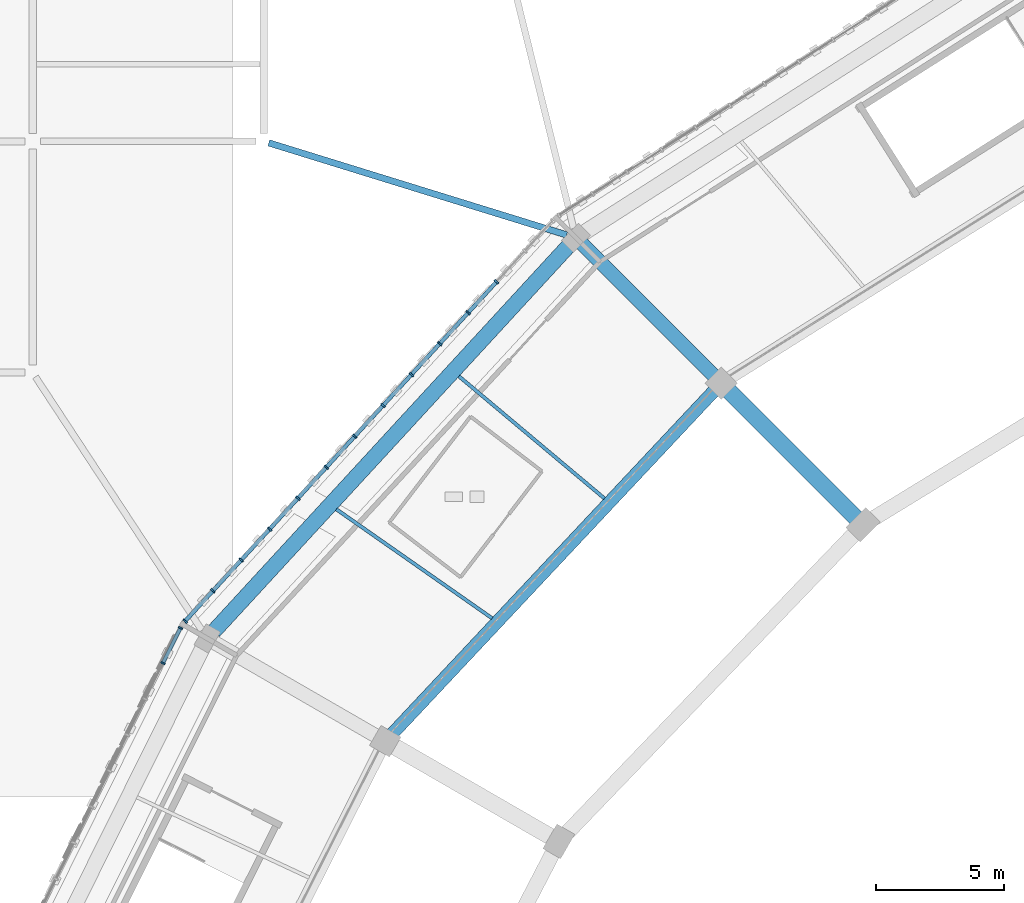
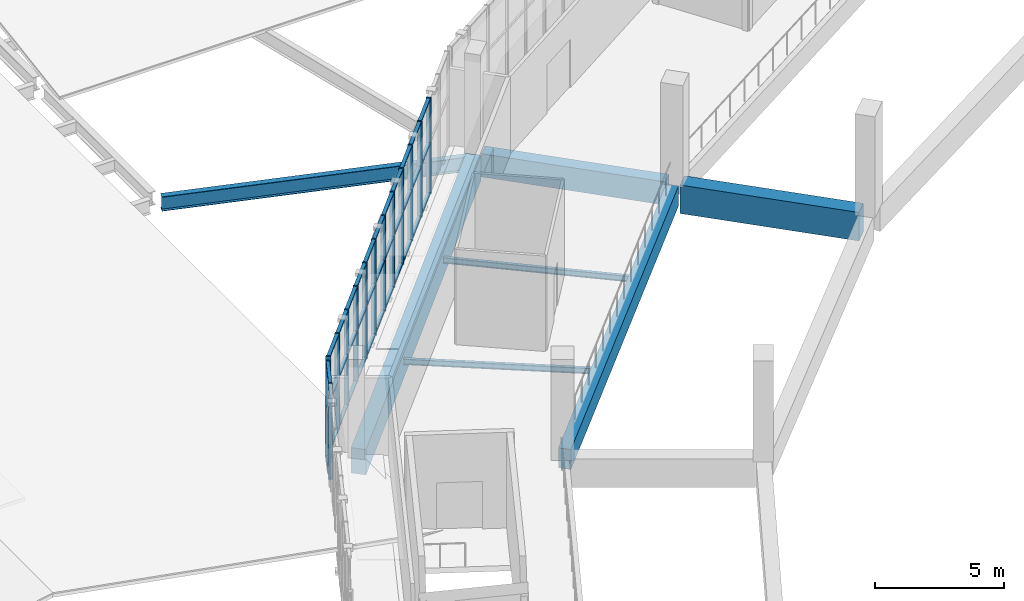
# One storey, part 33 of 108: 50 members, 7 beams, 2 elements without a shape of their own.
"""IFC4 building model written with IfcOpenShell, lengths in metres."""

import ifcopenshell
import ifcopenshell.guid

model = None  # the IFC model being written
_history = None  # IfcOwnerHistory: only IFC2X3 demands one
_inside = {}  # id of a spatial element -> (the spatial element, [elements in it])
_under = {}  # id of a project, library or spatial element -> (it, [spatial elements below it])
_declared = {}  # id of a project -> (the project, [libraries it declares])
_typed = {}  # id of a type object -> (the type object, [elements of that type])
_made_of = {}  # id of a material, layer set ... -> (it, [elements and type objects made of it])


def new_model(schema):
    """Start an empty IFC model of exactly this schema.

    Asked for "IFC4X3", IfcOpenShell would pick the latest addendum, in which some entities
    have other attributes; the version numbers below select the first issue.
    IFC2X3 requires an IfcOwnerHistory on every rooted entity: one is made here for all.
    """
    global model, _history
    if schema == "IFC4X3":
        model = ifcopenshell.file(schema_version=(4, 3, 0, 0))
    else:
        model = ifcopenshell.file(schema=schema)
    _inside.clear()
    _under.clear()
    _declared.clear()
    _typed.clear()
    _made_of.clear()
    _history = None
    if model.schema == "IFC2X3":
        org = make("IfcOrganization", Name="unknown")
        user = make(
            "IfcPersonAndOrganization",
            ThePerson=make("IfcPerson", FamilyName="unknown"),
            TheOrganization=org,
        )
        app = make(
            "IfcApplication",
            ApplicationDeveloper=org,
            Version="unknown",
            ApplicationFullName="unknown",
            ApplicationIdentifier="unknown",
        )
        _history = make(
            "IfcOwnerHistory",
            OwningUser=user,
            OwningApplication=app,
            ChangeAction="ADDED",
            CreationDate=0,
        )
    return model


def make(cls, **values):
    """One entity of the class cls with the attributes given. An attribute that is None is left unset."""
    return model.create_entity(
        cls, **{name: value for name, value in values.items() if value is not None}
    )


def rooted(cls, **values):
    """An entity with a GlobalId (a new one), such as an element, a storey or a relation."""
    return make(cls, GlobalId=ifcopenshell.guid.new(), OwnerHistory=_history, **values)


def si_unit(unit_type, name, prefix=None):
    """IfcSIUnit, for example si_unit("LENGTHUNIT", "METRE", prefix="MILLI")."""
    return make("IfcSIUnit", UnitType=unit_type, Prefix=prefix, Name=name)


def assignment(units):
    """IfcUnitAssignment: the units of a project."""
    return None if units is None else make("IfcUnitAssignment", Units=units)


def point(xyz):
    """IfcCartesianPoint."""
    return None if xyz is None else make("IfcCartesianPoint", Coordinates=xyz)


def direction(xyz):
    """IfcDirection."""
    return None if xyz is None else make("IfcDirection", DirectionRatios=xyz)


def frame(location, z_axis=None, x_axis=None):
    """IfcAxis2Placement3D, a coordinate frame: its origin and axes. An axis left out is left unset."""
    return make(
        "IfcAxis2Placement3D",
        Location=point(location),
        Axis=direction(z_axis),
        RefDirection=direction(x_axis),
    )


def frame_2d(location, x_axis=None):
    """IfcAxis2Placement2D, a coordinate frame in the plane: its origin and x axis."""
    return make(
        "IfcAxis2Placement2D", Location=point(location), RefDirection=direction(x_axis)
    )


def origin():
    """The frame at (0, 0, 0) with its axes left unset."""
    return frame((0.0, 0.0, 0.0))


def origin_2d():
    """The frame at (0, 0) in the plane with its x axis left unset."""
    return frame_2d((0.0, 0.0))


def place(relative_to, where):
    """IfcLocalPlacement: puts the frame where relative to a parent placement (None: the world)."""
    return make(
        "IfcLocalPlacement", PlacementRelTo=relative_to, RelativePlacement=where
    )


def context(
    kind, dimensions, precision=None, world=None, true_north=None, identifier=None
):
    """IfcGeometricRepresentationContext, for example the 3D "Model" context."""
    return make(
        "IfcGeometricRepresentationContext",
        ContextIdentifier=identifier,
        ContextType=kind,
        CoordinateSpaceDimension=dimensions,
        Precision=precision,
        WorldCoordinateSystem=world,
        TrueNorth=true_north,
    )


def subcontext(parent, identifier, kind, view, scale=None):
    """IfcGeometricRepresentationSubContext, for example "Body" below "Model"."""
    return make(
        "IfcGeometricRepresentationSubContext",
        ContextIdentifier=identifier,
        ContextType=kind,
        ParentContext=parent,
        TargetScale=scale,
        TargetView=view,
    )


def project(units=None, contexts=None):
    """IfcProject with its units and contexts."""
    return rooted(
        "IfcProject",
        Name="project",
        RepresentationContexts=contexts,
        UnitsInContext=assignment(units),
    )


def spatial(cls, under=None, at=None, **own):
    """A site, building, storey or space (cls), placed at a placement, below another one or the project."""
    s = rooted(cls, ObjectPlacement=at, **own)
    if under is not None:
        _under.setdefault(under.id(), (under, []))[1].append(s)
    return s


def profile(cls, at=None, kind="AREA", **sizes):
    """A parametric profile (cls). Its sizes go by their IFC names, for example OverallWidth=200.0."""
    return make(cls, ProfileType=kind, Position=at, **sizes)


def rectangle(**sizes):
    """IfcRectangleProfileDef."""
    return profile("IfcRectangleProfileDef", **sizes)


def i_section(**sizes):
    """IfcIShapeProfileDef."""
    return profile("IfcIShapeProfileDef", **sizes)


def extrude(swept, where, along, depth):
    """IfcExtrudedAreaSolid: the profile swept, set in the frame where, extruded along a direction by depth."""
    return make(
        "IfcExtrudedAreaSolid",
        SweptArea=swept,
        Position=where,
        ExtrudedDirection=direction(along),
        Depth=depth,
    )


def shape(context_of_items, identifier, shape_type, items):
    """IfcShapeRepresentation: the items that make up one representation, for example the "Body"."""
    return make(
        "IfcShapeRepresentation",
        ContextOfItems=context_of_items,
        RepresentationIdentifier=identifier,
        RepresentationType=shape_type,
        Items=items,
    )


def material(Name=None, Category=None):
    """IfcMaterial."""
    return make("IfcMaterial", Name=Name, Category=Category)


def material_profile(
    of_material, cross_section, Name=None, Category=None, Priority=None
):
    """IfcMaterialProfile: a cross section and its material."""
    return make(
        "IfcMaterialProfile",
        Name=Name,
        Material=of_material,
        Profile=cross_section,
        Priority=Priority,
        Category=Category,
    )


def profile_set(profiles, Name=None, composite=None):
    """IfcMaterialProfileSet."""
    return make(
        "IfcMaterialProfileSet",
        Name=Name,
        MaterialProfiles=profiles,
        CompositeProfile=composite,
    )


def made_of(thing, what):
    """Note that an element or type object is made of a material, layer set ...; save() writes the relation."""
    if what is not None:
        _made_of.setdefault(what.id(), (what, []))[1].append(thing)
    return thing


def type_object(cls, material=None, **own):
    """A type object (cls), such as IfcWallType, which elements share."""
    return made_of(rooted(cls, **own), material)


def element(
    cls,
    number,
    at=None,
    inside=None,
    cuts=None,
    type_object=None,
    material=None,
    context=None,
    identifier="Body",
    shape_type=None,
    held_by="IfcProductDefinitionShape",
    body=None,
    shapes=None,
    **own,
):
    """One element of the class cls, such as IfcWall. Its Tag is "e" and its number.

    at: its placement. inside: the storey or other place that contains it. cuts: it is an
    opening in that element (IfcRelVoidsElement). A single representation is given by context,
    identifier, shape_type and body (its items); several are given by shapes. held_by: the class
    of the entity that holds the representations. save() writes the other relations.
    """
    e = rooted(cls, Tag="e%d" % number, ObjectPlacement=at, **own)
    if body is not None:
        shapes = [shape(context, identifier, shape_type, body)]
    if shapes is not None:
        e.Representation = make(held_by, Representations=shapes)
    if inside is not None:
        _inside.setdefault(inside.id(), (inside, []))[1].append(e)
    if cuts is not None:
        rooted(
            "IfcRelVoidsElement", RelatingBuildingElement=cuts, RelatedOpeningElement=e
        )
    if type_object is not None:
        _typed.setdefault(type_object.id(), (type_object, []))[1].append(e)
    return made_of(e, material)


def aggregate(whole, parts):
    """IfcRelAggregates: a whole, such as a stair, and the parts it consists of."""
    return rooted("IfcRelAggregates", RelatingObject=whole, RelatedObjects=parts)


def save(model, path):
    """Write the relations noted so far, then the file.

    IfcRelAggregates (storeys below a building ...), IfcRelContainedInSpatialStructure (elements
    in a storey), IfcRelDefinesByType, IfcRelAssociatesMaterial and IfcRelDeclares: one each for
    every whole, place, type object, material and project.
    """
    for whole, parts in _under.values():
        aggregate(whole, parts)
    for where, things in _inside.values():
        rooted(
            "IfcRelContainedInSpatialStructure",
            RelatedElements=things,
            RelatingStructure=where,
        )
    for kind, things in _typed.values():
        rooted("IfcRelDefinesByType", RelatedObjects=things, RelatingType=kind)
    for what, things in _made_of.values():
        rooted("IfcRelAssociatesMaterial", RelatedObjects=things, RelatingMaterial=what)
    for by, libraries in _declared.values():
        rooted("IfcRelDeclares", RelatingContext=by, RelatedDefinitions=libraries)
    model.write(path)


model = new_model("IFC4")

# Units and contexts
model_context = context("Model", 3, precision=1e-05, world=origin(), true_north=direction((0.0, 1.0)))
body_context = subcontext(model_context, "Body", "Model", "MODEL_VIEW")
ifc_project = project(units=[si_unit("LENGTHUNIT", "METRE"), si_unit("AREAUNIT", "SQUARE_METRE"), si_unit("VOLUMEUNIT", "CUBIC_METRE"), si_unit("PLANEANGLEUNIT", "RADIAN"), si_unit("MASSUNIT", "GRAM", prefix="KILO")], contexts=[model_context])

# Site, building, storey
site_placement = place(None, origin())
site = spatial("IfcSite", under=ifc_project, at=site_placement, CompositionType="ELEMENT")
building_placement = place(site_placement, origin())
building = spatial("IfcBuilding", under=site, at=building_placement, Name="Zevraka Park Crest Stadium", CompositionType="ELEMENT")
storey_placement = place(building_placement, frame((0.0, 0.0, 19.800048828125)))
storey = spatial("IfcBuildingStorey", under=building, at=storey_placement, Name="L04", CompositionType="ELEMENT", Elevation=19.800048828125)

# Beams
ifc_material_1 = material(Name="Concrete C40/50", Category="concrete")
ifc_material_profile_1 = material_profile(ifc_material_1, rectangle(XDim=0.64990234375, YDim=1.35009765625, at=origin_2d()), Name="RC 1350x650")
ifc_profile_set_1 = profile_set([ifc_material_profile_1], Name="Concrete C40/50")
beam_type_1 = type_object("IfcBeamType", Name="BG01", PredefinedType="BEAM", material=ifc_profile_set_1)
beam_1_placement = place(storey_placement, frame((59.10888671875, 134.284912109375, -0.68505859375), z_axis=(-0.707157639372, 0.707055919343, 0.0), x_axis=(-0.707055919343, -0.707157639372, 0.0)))
element("IfcBeam", 1, at=beam_1_placement, inside=storey, type_object=beam_type_1, Name="Radial Girder BG01 L04-BC-09", PredefinedType="BEAM", context=body_context, shape_type="SweptSolid", body=[
    extrude(rectangle(XDim=0.64990234375, YDim=1.35009765625, at=origin_2d()), origin(), (0.0, 0.0, 1.0), 7.200439453125),
])
ifc_material_2 = material(Name="Concrete C40/50", Category="concrete")
ifc_material_profile_2 = material_profile(ifc_material_2, rectangle(XDim=0.550048828125, YDim=1.10009765625, at=origin_2d()), Name="RC 1100x550")
ifc_profile_set_2 = profile_set([ifc_material_profile_2], Name="Concrete C40/50")
beam_type_2 = type_object("IfcBeamType", Name="BG02", PredefinedType="BEAM", material=ifc_profile_set_2)
beam_2_placement = place(storey_placement, frame((53.593017578125, 139.800048828125, -0.56005859375), z_axis=(-0.707106781187, 0.707106781187, 0.0), x_axis=(-0.707106781187, -0.707106781187, 0.0)))
element("IfcBeam", 2, at=beam_2_placement, inside=storey, type_object=beam_type_2, Name="Radial Girder BG02 L04-CD-09", PredefinedType="BEAM", context=body_context, shape_type="SweptSolid", body=[
    extrude(rectangle(XDim=0.550048828125, YDim=1.10009765625, at=origin_2d()), origin(), (0.0, 0.0, 1.0), 7.400390625),
])
ifc_material_3 = material(Name="Steel S355", Category="steel")
ifc_material_profile_3 = material_profile(ifc_material_3, i_section(OverallWidth=0.253662109375, OverallDepth=0.68359375, WebThickness=0.012451171875, FlangeThickness=0.01904296875, at=origin_2d()), Name="UKB 686x254x140")
ifc_profile_set_3 = profile_set([ifc_material_profile_3], Name="Steel S355")
beam_type_3 = type_object("IfcBeamType", Name="BG05", PredefinedType="BEAM", material=ifc_profile_set_3)
beam_3_placement = place(storey_placement, frame((36.19091796875, 148.94091796875, -0.60986328125), z_axis=(0.955393662016, -0.295335318882, 0.0), x_axis=(0.295335318882, 0.955393662016, 0.0)))
element("IfcBeam", 3, at=beam_3_placement, inside=storey, type_object=beam_type_3, Name="Wing Link Girder BG05 L04-5/S", PredefinedType="BEAM", context=body_context, shape_type="SweptSolid", body=[
    extrude(i_section(OverallWidth=0.253662109375, OverallDepth=0.68359375, WebThickness=0.012451171875, FlangeThickness=0.01904296875, at=origin_2d()), origin(), (0.0, 0.0, 1.0), 12.13525390625),
])

# Curtain wall, members
ifc_material_4 = material(Name="Anodised architectural aluminium and laminated safety glass", Category="aluminium")
curtain_wall_type_1 = type_object("IfcCurtainWallType", Name="CW17", PredefinedType="NOTDEFINED", material=ifc_material_4)
curtain_wall_1_placement = place(storey_placement, origin())
curtain_wall_1 = element("IfcCurtainWall", 4, at=curtain_wall_1_placement, inside=storey, type_object=curtain_wall_type_1, Name="Unitised Ring Curtain Wall CW17 L04-10", PredefinedType="NOTDEFINED")
ifc_material_5 = material(Name="Anodised architectural aluminium", Category="aluminium")
ifc_material_profile_4 = material_profile(ifc_material_5, rectangle(XDim=0.179931640625, YDim=0.06494140625, at=origin_2d()), Name="ALU MULLION 180x65")
ifc_profile_set_4 = profile_set([ifc_material_profile_4], Name="Anodised architectural aluminium")
member_type_1 = type_object("IfcMemberType", Name="CM02", PredefinedType="MULLION", material=ifc_profile_set_4)
member_1_placement = place(storey_placement, frame((32.754638671875, 130.059814453125, 0.0), z_axis=(0.0, 0.0, 1.0), x_axis=(0.896046076106, -0.443961067545, 0.0)))
member_1 = element("IfcMember", 5, at=member_1_placement, type_object=member_type_1, Name="CW17 mullion 1", PredefinedType="MULLION", context=body_context, shape_type="SweptSolid", body=[
    extrude(rectangle(XDim=0.179931640625, YDim=0.06494140625, at=origin_2d()), origin(), (0.0, 0.0, 1.0), 4.5400390625),
])
member_2_placement = place(storey_placement, frame((32.075439453125, 128.68896484375, 0.0), z_axis=(0.0, 0.0, 1.0), x_axis=(0.896046076106, -0.443961067545, 0.0)))
member_2 = element("IfcMember", 6, at=member_2_placement, type_object=member_type_1, Name="CW17 mullion 2", PredefinedType="MULLION", context=body_context, shape_type="SweptSolid", body=[
    extrude(rectangle(XDim=0.179931640625, YDim=0.06494140625, at=origin_2d()), origin(), (0.0, 0.0, 1.0), 4.5400390625),
])

ifc_material_6 = material(Name="Anodised architectural aluminium and laminated safety glass", Category="aluminium")
curtain_wall_type_2 = type_object("IfcCurtainWallType", Name="CW18", PredefinedType="NOTDEFINED", material=ifc_material_6)
curtain_wall_2_placement = place(storey_placement, origin())
curtain_wall_2 = element("IfcCurtainWall", 7, at=curtain_wall_2_placement, inside=storey, type_object=curtain_wall_type_2, Name="Unitised Ring Curtain Wall CW18 L04-09", PredefinedType="NOTDEFINED")
ifc_material_7 = material(Name="Anodised architectural aluminium", Category="aluminium")
ifc_material_profile_5 = material_profile(ifc_material_7, rectangle(XDim=0.199951171875, YDim=0.070068359375, at=origin_2d()), Name="ALU MULLION 200x70")
ifc_profile_set_5 = profile_set([ifc_material_profile_5], Name="Anodised architectural aluminium")
member_type_2 = type_object("IfcMemberType", Name="CM03", PredefinedType="MULLION", material=ifc_profile_set_5)
member_3_placement = place(storey_placement, frame((45.05615234375, 143.53125, 0.0), z_axis=(0.0, 0.0, 1.0), x_axis=(0.736774619932, -0.676138417355, 0.0)))
member_3 = element("IfcMember", 8, at=member_3_placement, type_object=member_type_2, Name="CW18 mullion 3", PredefinedType="MULLION", context=body_context, shape_type="SweptSolid", body=[
    extrude(rectangle(XDim=0.199951171875, YDim=0.070068359375, at=origin_2d()), origin(), (0.0, 0.0, 1.0), 4.5400390625),
])
member_4_placement = place(storey_placement, frame((43.9521484375, 142.328125, 0.0), z_axis=(0.0, 0.0, 1.0), x_axis=(0.736774619932, -0.676138417355, 0.0)))
member_4 = element("IfcMember", 9, at=member_4_placement, type_object=member_type_2, Name="CW18 mullion 4", PredefinedType="MULLION", context=body_context, shape_type="SweptSolid", body=[
    extrude(rectangle(XDim=0.199951171875, YDim=0.070068359375, at=origin_2d()), origin(), (0.0, 0.0, 1.0), 4.5400390625),
])
member_5_placement = place(storey_placement, frame((42.848388671875, 141.125244140625, 0.0), z_axis=(0.0, 0.0, 1.0), x_axis=(0.736774619932, -0.676138417355, 0.0)))
member_5 = element("IfcMember", 10, at=member_5_placement, type_object=member_type_2, Name="CW18 mullion 5", PredefinedType="MULLION", context=body_context, shape_type="SweptSolid", body=[
    extrude(rectangle(XDim=0.199951171875, YDim=0.070068359375, at=origin_2d()), origin(), (0.0, 0.0, 1.0), 4.5400390625),
])
member_6_placement = place(storey_placement, frame((41.744384765625, 139.92236328125, 0.0), z_axis=(0.0, 0.0, 1.0), x_axis=(0.736774619932, -0.676138417355, 0.0)))
member_6 = element("IfcMember", 11, at=member_6_placement, type_object=member_type_2, Name="CW18 mullion 6", PredefinedType="MULLION", context=body_context, shape_type="SweptSolid", body=[
    extrude(rectangle(XDim=0.199951171875, YDim=0.070068359375, at=origin_2d()), origin(), (0.0, 0.0, 1.0), 4.5400390625),
])
member_7_placement = place(storey_placement, frame((40.640380859375, 138.719482421875, 0.0), z_axis=(0.0, 0.0, 1.0), x_axis=(0.736774619932, -0.676138417355, 0.0)))
member_7 = element("IfcMember", 12, at=member_7_placement, type_object=member_type_2, Name="CW18 mullion 7", PredefinedType="MULLION", context=body_context, shape_type="SweptSolid", body=[
    extrude(rectangle(XDim=0.199951171875, YDim=0.070068359375, at=origin_2d()), origin(), (0.0, 0.0, 1.0), 4.5400390625),
])
member_8_placement = place(storey_placement, frame((39.53662109375, 137.5166015625, 0.0), z_axis=(0.0, 0.0, 1.0), x_axis=(0.736774619932, -0.676138417355, 0.0)))
member_8 = element("IfcMember", 13, at=member_8_placement, type_object=member_type_2, Name="CW18 mullion 8", PredefinedType="MULLION", context=body_context, shape_type="SweptSolid", body=[
    extrude(rectangle(XDim=0.199951171875, YDim=0.070068359375, at=origin_2d()), origin(), (0.0, 0.0, 1.0), 4.5400390625),
])
member_9_placement = place(storey_placement, frame((38.4326171875, 136.313720703125, 0.0), z_axis=(0.0, 0.0, 1.0), x_axis=(0.736774619932, -0.676138417355, 0.0)))
member_9 = element("IfcMember", 14, at=member_9_placement, type_object=member_type_2, Name="CW18 mullion 9", PredefinedType="MULLION", context=body_context, shape_type="SweptSolid", body=[
    extrude(rectangle(XDim=0.199951171875, YDim=0.070068359375, at=origin_2d()), origin(), (0.0, 0.0, 1.0), 4.5400390625),
])
member_10_placement = place(storey_placement, frame((37.32861328125, 135.110595703125, 0.0), z_axis=(0.0, 0.0, 1.0), x_axis=(0.736774619932, -0.676138417355, 0.0)))
member_10 = element("IfcMember", 15, at=member_10_placement, type_object=member_type_2, Name="CW18 mullion 10", PredefinedType="MULLION", context=body_context, shape_type="SweptSolid", body=[
    extrude(rectangle(XDim=0.199951171875, YDim=0.070068359375, at=origin_2d()), origin(), (0.0, 0.0, 1.0), 4.5400390625),
])
member_11_placement = place(storey_placement, frame((36.224853515625, 133.90771484375, 0.0), z_axis=(0.0, 0.0, 1.0), x_axis=(0.736774619932, -0.676138417355, 0.0)))
member_11 = element("IfcMember", 16, at=member_11_placement, type_object=member_type_2, Name="CW18 mullion 11", PredefinedType="MULLION", context=body_context, shape_type="SweptSolid", body=[
    extrude(rectangle(XDim=0.199951171875, YDim=0.070068359375, at=origin_2d()), origin(), (0.0, 0.0, 1.0), 4.5400390625),
])
member_12_placement = place(storey_placement, frame((35.120849609375, 132.704833984375, 0.0), z_axis=(0.0, 0.0, 1.0), x_axis=(0.736774619932, -0.676138417355, 0.0)))
member_12 = element("IfcMember", 17, at=member_12_placement, type_object=member_type_2, Name="CW18 mullion 12", PredefinedType="MULLION", context=body_context, shape_type="SweptSolid", body=[
    extrude(rectangle(XDim=0.199951171875, YDim=0.070068359375, at=origin_2d()), origin(), (0.0, 0.0, 1.0), 4.5400390625),
])
member_13_placement = place(storey_placement, frame((34.016845703125, 131.501953125, 0.0), z_axis=(0.0, 0.0, 1.0), x_axis=(0.736774619932, -0.676138417355, 0.0)))
member_13 = element("IfcMember", 18, at=member_13_placement, type_object=member_type_2, Name="CW18 mullion 13", PredefinedType="MULLION", context=body_context, shape_type="SweptSolid", body=[
    extrude(rectangle(XDim=0.199951171875, YDim=0.070068359375, at=origin_2d()), origin(), (0.0, 0.0, 1.0), 4.5400390625),
])
member_14_placement = place(storey_placement, frame((32.936767578125, 130.32470703125, 0.0), z_axis=(0.0, 0.0, 1.0), x_axis=(0.736774619932, -0.676138417355, 0.0)))
member_14 = element("IfcMember", 19, at=member_14_placement, type_object=member_type_2, Name="CW18 mullion 14", PredefinedType="MULLION", context=body_context, shape_type="SweptSolid", body=[
    extrude(rectangle(XDim=0.199951171875, YDim=0.070068359375, at=origin_2d()), origin(), (0.0, 0.0, 1.0), 4.5400390625),
])

# Member
ifc_material_8 = material(Name="Anodised architectural aluminium", Category="aluminium")
ifc_material_profile_6 = material_profile(ifc_material_8, rectangle(XDim=0.139892578125, YDim=0.06494140625, at=origin_2d()), Name="ALU TRANSOM 140x65")
ifc_profile_set_6 = profile_set([ifc_material_profile_6], Name="Anodised architectural aluminium")
member_type_3 = type_object("IfcMemberType", Name="CT02", PredefinedType="USERDEFINED", material=ifc_profile_set_6)
member_15_placement = place(storey_placement, frame((32.740234375, 130.03076171875, 0.032470703125), z_axis=(-0.444010656384, -0.896021504774, 0.0), x_axis=(0.896021504774, -0.444010656384, 0.0)))
member_15 = element("IfcMember", 20, at=member_15_placement, type_object=member_type_3, Name="CW17 transom 1.1", ObjectType="TRANSOM", PredefinedType="USERDEFINED", context=body_context, shape_type="SweptSolid", body=[
    extrude(rectangle(XDim=0.139892578125, YDim=0.06494140625, at=origin_2d()), origin(), (0.0, 0.0, 1.0), 1.46484375),
])

member_16_placement = place(storey_placement, frame((32.740234375, 130.03076171875, 2.39990234375), z_axis=(-0.444010656384, -0.896021504774, 0.0), x_axis=(0.896021504774, -0.444010656384, 0.0)))
member_16 = element("IfcMember", 21, at=member_16_placement, type_object=member_type_3, Name="CW17 transom 1.2", ObjectType="TRANSOM", PredefinedType="USERDEFINED", context=body_context, shape_type="SweptSolid", body=[
    extrude(rectangle(XDim=0.139892578125, YDim=0.06494140625, at=origin_2d()), origin(), (0.0, 0.0, 1.0), 1.46484375),
])

member_17_placement = place(storey_placement, frame((32.740234375, 130.03076171875, 4.507568359375), z_axis=(-0.444010656384, -0.896021504774, 0.0), x_axis=(0.896021504774, -0.444010656384, 0.0)))
member_17 = element("IfcMember", 22, at=member_17_placement, type_object=member_type_3, Name="CW17 transom 1.3", ObjectType="TRANSOM", PredefinedType="USERDEFINED", context=body_context, shape_type="SweptSolid", body=[
    extrude(rectangle(XDim=0.139892578125, YDim=0.06494140625, at=origin_2d()), origin(), (0.0, 0.0, 1.0), 1.46484375),
])

aggregate(curtain_wall_1, [member_1, member_2, member_15, member_16, member_17])

ifc_material_9 = material(Name="Anodised architectural aluminium", Category="aluminium")
ifc_material_profile_7 = material_profile(ifc_material_9, rectangle(XDim=0.14990234375, YDim=0.070068359375, at=origin_2d()), Name="ALU TRANSOM 150x70")
ifc_profile_set_7 = profile_set([ifc_material_profile_7], Name="Anodised architectural aluminium")
member_type_4 = type_object("IfcMemberType", Name="CT03", PredefinedType="USERDEFINED", material=ifc_profile_set_7)
member_18_placement = place(storey_placement, frame((45.032470703125, 143.50537109375, 0.034912109375), z_axis=(-0.67614898138, -0.736764925182, 0.0), x_axis=(0.736764925182, -0.67614898138, 0.0)))
member_18 = element("IfcMember", 23, at=member_18_placement, type_object=member_type_4, Name="CW18 transom 3.1", ObjectType="TRANSOM", PredefinedType="USERDEFINED", context=body_context, shape_type="SweptSolid", body=[
    extrude(rectangle(XDim=0.14990234375, YDim=0.070068359375, at=origin_2d()), origin(), (0.0, 0.0, 1.0), 1.562744140625),
])

member_19_placement = place(storey_placement, frame((45.032470703125, 143.50537109375, 2.39990234375), z_axis=(-0.67614898138, -0.736764925182, 0.0), x_axis=(0.736764925182, -0.67614898138, 0.0)))
member_19 = element("IfcMember", 24, at=member_19_placement, type_object=member_type_4, Name="CW18 transom 3.2", ObjectType="TRANSOM", PredefinedType="USERDEFINED", context=body_context, shape_type="SweptSolid", body=[
    extrude(rectangle(XDim=0.14990234375, YDim=0.070068359375, at=origin_2d()), origin(), (0.0, 0.0, 1.0), 1.562744140625),
])

member_20_placement = place(storey_placement, frame((45.032470703125, 143.50537109375, 4.5048828125), z_axis=(-0.67614898138, -0.736764925182, 0.0), x_axis=(0.736764925182, -0.67614898138, 0.0)))
member_20 = element("IfcMember", 25, at=member_20_placement, type_object=member_type_4, Name="CW18 transom 3.3", ObjectType="TRANSOM", PredefinedType="USERDEFINED", context=body_context, shape_type="SweptSolid", body=[
    extrude(rectangle(XDim=0.14990234375, YDim=0.070068359375, at=origin_2d()), origin(), (0.0, 0.0, 1.0), 1.562744140625),
])

member_21_placement = place(storey_placement, frame((43.928466796875, 142.302490234375, 0.034912109375), z_axis=(-0.676064164587, -0.73684275484, 0.0), x_axis=(0.73684275484, -0.676064164587, 0.0)))
member_21 = element("IfcMember", 26, at=member_21_placement, type_object=member_type_4, Name="CW18 transom 4.1", ObjectType="TRANSOM", PredefinedType="USERDEFINED", context=body_context, shape_type="SweptSolid", body=[
    extrude(rectangle(XDim=0.14990234375, YDim=0.070068359375, at=origin_2d()), origin(), (0.0, 0.0, 1.0), 1.5625),
])

member_22_placement = place(storey_placement, frame((43.928466796875, 142.302490234375, 2.39990234375), z_axis=(-0.676064164587, -0.73684275484, 0.0), x_axis=(0.73684275484, -0.676064164587, 0.0)))
member_22 = element("IfcMember", 27, at=member_22_placement, type_object=member_type_4, Name="CW18 transom 4.2", ObjectType="TRANSOM", PredefinedType="USERDEFINED", context=body_context, shape_type="SweptSolid", body=[
    extrude(rectangle(XDim=0.14990234375, YDim=0.070068359375, at=origin_2d()), origin(), (0.0, 0.0, 1.0), 1.5625),
])

member_23_placement = place(storey_placement, frame((43.928466796875, 142.302490234375, 4.5048828125), z_axis=(-0.676064164587, -0.73684275484, 0.0), x_axis=(0.73684275484, -0.676064164587, 0.0)))
member_23 = element("IfcMember", 28, at=member_23_placement, type_object=member_type_4, Name="CW18 transom 4.3", ObjectType="TRANSOM", PredefinedType="USERDEFINED", context=body_context, shape_type="SweptSolid", body=[
    extrude(rectangle(XDim=0.14990234375, YDim=0.070068359375, at=origin_2d()), origin(), (0.0, 0.0, 1.0), 1.5625),
])

member_24_placement = place(storey_placement, frame((42.82470703125, 141.099609375, 0.034912109375), z_axis=(-0.67614898138, -0.736764925182, 0.0), x_axis=(0.736764925182, -0.67614898138, 0.0)))
member_24 = element("IfcMember", 29, at=member_24_placement, type_object=member_type_4, Name="CW18 transom 5.1", ObjectType="TRANSOM", PredefinedType="USERDEFINED", context=body_context, shape_type="SweptSolid", body=[
    extrude(rectangle(XDim=0.14990234375, YDim=0.070068359375, at=origin_2d()), origin(), (0.0, 0.0, 1.0), 1.562744140625),
])

member_25_placement = place(storey_placement, frame((42.82470703125, 141.099609375, 2.39990234375), z_axis=(-0.67614898138, -0.736764925182, 0.0), x_axis=(0.736764925182, -0.67614898138, 0.0)))
member_25 = element("IfcMember", 30, at=member_25_placement, type_object=member_type_4, Name="CW18 transom 5.2", ObjectType="TRANSOM", PredefinedType="USERDEFINED", context=body_context, shape_type="SweptSolid", body=[
    extrude(rectangle(XDim=0.14990234375, YDim=0.070068359375, at=origin_2d()), origin(), (0.0, 0.0, 1.0), 1.562744140625),
])

member_26_placement = place(storey_placement, frame((42.82470703125, 141.099609375, 4.5048828125), z_axis=(-0.67614898138, -0.736764925182, 0.0), x_axis=(0.736764925182, -0.67614898138, 0.0)))
member_26 = element("IfcMember", 31, at=member_26_placement, type_object=member_type_4, Name="CW18 transom 5.3", ObjectType="TRANSOM", PredefinedType="USERDEFINED", context=body_context, shape_type="SweptSolid", body=[
    extrude(rectangle(XDim=0.14990234375, YDim=0.070068359375, at=origin_2d()), origin(), (0.0, 0.0, 1.0), 1.562744140625),
])

member_27_placement = place(storey_placement, frame((41.720703125, 139.896484375, 0.034912109375), z_axis=(-0.676226812884, -0.736693489544, 0.0), x_axis=(0.736693489544, -0.676226812884, 0.0)))
member_27 = element("IfcMember", 32, at=member_27_placement, type_object=member_type_4, Name="CW18 transom 6.1", ObjectType="TRANSOM", PredefinedType="USERDEFINED", context=body_context, shape_type="SweptSolid", body=[
    extrude(rectangle(XDim=0.14990234375, YDim=0.070068359375, at=origin_2d()), origin(), (0.0, 0.0, 1.0), 1.5625),
])

member_28_placement = place(storey_placement, frame((41.720703125, 139.896484375, 2.39990234375), z_axis=(-0.676226812884, -0.736693489544, 0.0), x_axis=(0.736693489544, -0.676226812884, 0.0)))
member_28 = element("IfcMember", 33, at=member_28_placement, type_object=member_type_4, Name="CW18 transom 6.2", ObjectType="TRANSOM", PredefinedType="USERDEFINED", context=body_context, shape_type="SweptSolid", body=[
    extrude(rectangle(XDim=0.14990234375, YDim=0.070068359375, at=origin_2d()), origin(), (0.0, 0.0, 1.0), 1.5625),
])

member_29_placement = place(storey_placement, frame((41.720703125, 139.896484375, 4.5048828125), z_axis=(-0.676226812884, -0.736693489544, 0.0), x_axis=(0.736693489544, -0.676226812884, 0.0)))
member_29 = element("IfcMember", 34, at=member_29_placement, type_object=member_type_4, Name="CW18 transom 6.3", ObjectType="TRANSOM", PredefinedType="USERDEFINED", context=body_context, shape_type="SweptSolid", body=[
    extrude(rectangle(XDim=0.14990234375, YDim=0.070068359375, at=origin_2d()), origin(), (0.0, 0.0, 1.0), 1.5625),
])

member_30_placement = place(storey_placement, frame((40.61669921875, 138.693603515625, 0.034912109375), z_axis=(-0.676064164587, -0.73684275484, 0.0), x_axis=(0.73684275484, -0.676064164587, 0.0)))
member_30 = element("IfcMember", 35, at=member_30_placement, type_object=member_type_4, Name="CW18 transom 7.1", ObjectType="TRANSOM", PredefinedType="USERDEFINED", context=body_context, shape_type="SweptSolid", body=[
    extrude(rectangle(XDim=0.14990234375, YDim=0.070068359375, at=origin_2d()), origin(), (0.0, 0.0, 1.0), 1.5625),
])

member_31_placement = place(storey_placement, frame((40.61669921875, 138.693603515625, 2.39990234375), z_axis=(-0.676064164587, -0.73684275484, 0.0), x_axis=(0.73684275484, -0.676064164587, 0.0)))
member_31 = element("IfcMember", 36, at=member_31_placement, type_object=member_type_4, Name="CW18 transom 7.2", ObjectType="TRANSOM", PredefinedType="USERDEFINED", context=body_context, shape_type="SweptSolid", body=[
    extrude(rectangle(XDim=0.14990234375, YDim=0.070068359375, at=origin_2d()), origin(), (0.0, 0.0, 1.0), 1.5625),
])

member_32_placement = place(storey_placement, frame((40.61669921875, 138.693603515625, 4.5048828125), z_axis=(-0.676064164587, -0.73684275484, 0.0), x_axis=(0.73684275484, -0.676064164587, 0.0)))
member_32 = element("IfcMember", 37, at=member_32_placement, type_object=member_type_4, Name="CW18 transom 7.3", ObjectType="TRANSOM", PredefinedType="USERDEFINED", context=body_context, shape_type="SweptSolid", body=[
    extrude(rectangle(XDim=0.14990234375, YDim=0.070068359375, at=origin_2d()), origin(), (0.0, 0.0, 1.0), 1.5625),
])

member_33_placement = place(storey_placement, frame((39.512939453125, 137.49072265625, 0.034912109375), z_axis=(-0.67614898138, -0.736764925182, 0.0), x_axis=(0.736764925182, -0.67614898138, 0.0)))
member_33 = element("IfcMember", 38, at=member_33_placement, type_object=member_type_4, Name="CW18 transom 8.1", ObjectType="TRANSOM", PredefinedType="USERDEFINED", context=body_context, shape_type="SweptSolid", body=[
    extrude(rectangle(XDim=0.14990234375, YDim=0.070068359375, at=origin_2d()), origin(), (0.0, 0.0, 1.0), 1.562744140625),
])

member_34_placement = place(storey_placement, frame((39.512939453125, 137.49072265625, 2.39990234375), z_axis=(-0.67614898138, -0.736764925182, 0.0), x_axis=(0.736764925182, -0.67614898138, 0.0)))
member_34 = element("IfcMember", 39, at=member_34_placement, type_object=member_type_4, Name="CW18 transom 8.2", ObjectType="TRANSOM", PredefinedType="USERDEFINED", context=body_context, shape_type="SweptSolid", body=[
    extrude(rectangle(XDim=0.14990234375, YDim=0.070068359375, at=origin_2d()), origin(), (0.0, 0.0, 1.0), 1.562744140625),
])

member_35_placement = place(storey_placement, frame((39.512939453125, 137.49072265625, 4.5048828125), z_axis=(-0.67614898138, -0.736764925182, 0.0), x_axis=(0.736764925182, -0.67614898138, 0.0)))
member_35 = element("IfcMember", 40, at=member_35_placement, type_object=member_type_4, Name="CW18 transom 8.3", ObjectType="TRANSOM", PredefinedType="USERDEFINED", context=body_context, shape_type="SweptSolid", body=[
    extrude(rectangle(XDim=0.14990234375, YDim=0.070068359375, at=origin_2d()), origin(), (0.0, 0.0, 1.0), 1.562744140625),
])

member_36_placement = place(storey_placement, frame((38.408935546875, 136.287841796875, 0.034912109375), z_axis=(-0.67614898138, -0.736764925182, 0.0), x_axis=(0.736764925182, -0.67614898138, 0.0)))
member_36 = element("IfcMember", 41, at=member_36_placement, type_object=member_type_4, Name="CW18 transom 9.1", ObjectType="TRANSOM", PredefinedType="USERDEFINED", context=body_context, shape_type="SweptSolid", body=[
    extrude(rectangle(XDim=0.14990234375, YDim=0.070068359375, at=origin_2d()), origin(), (0.0, 0.0, 1.0), 1.562744140625),
])

member_37_placement = place(storey_placement, frame((38.408935546875, 136.287841796875, 2.39990234375), z_axis=(-0.67614898138, -0.736764925182, 0.0), x_axis=(0.736764925182, -0.67614898138, 0.0)))
member_37 = element("IfcMember", 42, at=member_37_placement, type_object=member_type_4, Name="CW18 transom 9.2", ObjectType="TRANSOM", PredefinedType="USERDEFINED", context=body_context, shape_type="SweptSolid", body=[
    extrude(rectangle(XDim=0.14990234375, YDim=0.070068359375, at=origin_2d()), origin(), (0.0, 0.0, 1.0), 1.562744140625),
])

member_38_placement = place(storey_placement, frame((38.408935546875, 136.287841796875, 4.5048828125), z_axis=(-0.67614898138, -0.736764925182, 0.0), x_axis=(0.736764925182, -0.67614898138, 0.0)))
member_38 = element("IfcMember", 43, at=member_38_placement, type_object=member_type_4, Name="CW18 transom 9.3", ObjectType="TRANSOM", PredefinedType="USERDEFINED", context=body_context, shape_type="SweptSolid", body=[
    extrude(rectangle(XDim=0.14990234375, YDim=0.070068359375, at=origin_2d()), origin(), (0.0, 0.0, 1.0), 1.562744140625),
])

member_39_placement = place(storey_placement, frame((37.304931640625, 135.0849609375, 0.034912109375), z_axis=(-0.676064164587, -0.73684275484, 0.0), x_axis=(0.73684275484, -0.676064164587, 0.0)))
member_39 = element("IfcMember", 44, at=member_39_placement, type_object=member_type_4, Name="CW18 transom 10.1", ObjectType="TRANSOM", PredefinedType="USERDEFINED", context=body_context, shape_type="SweptSolid", body=[
    extrude(rectangle(XDim=0.14990234375, YDim=0.070068359375, at=origin_2d()), origin(), (0.0, 0.0, 1.0), 1.5625),
])

member_40_placement = place(storey_placement, frame((37.304931640625, 135.0849609375, 2.39990234375), z_axis=(-0.676064164587, -0.73684275484, 0.0), x_axis=(0.73684275484, -0.676064164587, 0.0)))
member_40 = element("IfcMember", 45, at=member_40_placement, type_object=member_type_4, Name="CW18 transom 10.2", ObjectType="TRANSOM", PredefinedType="USERDEFINED", context=body_context, shape_type="SweptSolid", body=[
    extrude(rectangle(XDim=0.14990234375, YDim=0.070068359375, at=origin_2d()), origin(), (0.0, 0.0, 1.0), 1.5625),
])

member_41_placement = place(storey_placement, frame((37.304931640625, 135.0849609375, 4.5048828125), z_axis=(-0.676064164587, -0.73684275484, 0.0), x_axis=(0.73684275484, -0.676064164587, 0.0)))
member_41 = element("IfcMember", 46, at=member_41_placement, type_object=member_type_4, Name="CW18 transom 10.3", ObjectType="TRANSOM", PredefinedType="USERDEFINED", context=body_context, shape_type="SweptSolid", body=[
    extrude(rectangle(XDim=0.14990234375, YDim=0.070068359375, at=origin_2d()), origin(), (0.0, 0.0, 1.0), 1.5625),
])

member_42_placement = place(storey_placement, frame((36.201171875, 133.882080078125, 0.034912109375), z_axis=(-0.67614898138, -0.736764925182, 0.0), x_axis=(0.736764925182, -0.67614898138, 0.0)))
member_42 = element("IfcMember", 47, at=member_42_placement, type_object=member_type_4, Name="CW18 transom 11.1", ObjectType="TRANSOM", PredefinedType="USERDEFINED", context=body_context, shape_type="SweptSolid", body=[
    extrude(rectangle(XDim=0.14990234375, YDim=0.070068359375, at=origin_2d()), origin(), (0.0, 0.0, 1.0), 1.562744140625),
])

member_43_placement = place(storey_placement, frame((36.201171875, 133.882080078125, 2.39990234375), z_axis=(-0.67614898138, -0.736764925182, 0.0), x_axis=(0.736764925182, -0.67614898138, 0.0)))
member_43 = element("IfcMember", 48, at=member_43_placement, type_object=member_type_4, Name="CW18 transom 11.2", ObjectType="TRANSOM", PredefinedType="USERDEFINED", context=body_context, shape_type="SweptSolid", body=[
    extrude(rectangle(XDim=0.14990234375, YDim=0.070068359375, at=origin_2d()), origin(), (0.0, 0.0, 1.0), 1.562744140625),
])

member_44_placement = place(storey_placement, frame((36.201171875, 133.882080078125, 4.5048828125), z_axis=(-0.67614898138, -0.736764925182, 0.0), x_axis=(0.736764925182, -0.67614898138, 0.0)))
member_44 = element("IfcMember", 49, at=member_44_placement, type_object=member_type_4, Name="CW18 transom 11.3", ObjectType="TRANSOM", PredefinedType="USERDEFINED", context=body_context, shape_type="SweptSolid", body=[
    extrude(rectangle(XDim=0.14990234375, YDim=0.070068359375, at=origin_2d()), origin(), (0.0, 0.0, 1.0), 1.562744140625),
])

member_45_placement = place(storey_placement, frame((35.09716796875, 132.678955078125, 0.034912109375), z_axis=(-0.676226812884, -0.736693489544, 0.0), x_axis=(0.736693489544, -0.676226812884, 0.0)))
member_45 = element("IfcMember", 50, at=member_45_placement, type_object=member_type_4, Name="CW18 transom 12.1", ObjectType="TRANSOM", PredefinedType="USERDEFINED", context=body_context, shape_type="SweptSolid", body=[
    extrude(rectangle(XDim=0.14990234375, YDim=0.070068359375, at=origin_2d()), origin(), (0.0, 0.0, 1.0), 1.5625),
])

member_46_placement = place(storey_placement, frame((35.09716796875, 132.678955078125, 2.39990234375), z_axis=(-0.676226812884, -0.736693489544, 0.0), x_axis=(0.736693489544, -0.676226812884, 0.0)))
member_46 = element("IfcMember", 51, at=member_46_placement, type_object=member_type_4, Name="CW18 transom 12.2", ObjectType="TRANSOM", PredefinedType="USERDEFINED", context=body_context, shape_type="SweptSolid", body=[
    extrude(rectangle(XDim=0.14990234375, YDim=0.070068359375, at=origin_2d()), origin(), (0.0, 0.0, 1.0), 1.5625),
])

member_47_placement = place(storey_placement, frame((35.09716796875, 132.678955078125, 4.5048828125), z_axis=(-0.676226812884, -0.736693489544, 0.0), x_axis=(0.736693489544, -0.676226812884, 0.0)))
member_47 = element("IfcMember", 52, at=member_47_placement, type_object=member_type_4, Name="CW18 transom 12.3", ObjectType="TRANSOM", PredefinedType="USERDEFINED", context=body_context, shape_type="SweptSolid", body=[
    extrude(rectangle(XDim=0.14990234375, YDim=0.070068359375, at=origin_2d()), origin(), (0.0, 0.0, 1.0), 1.5625),
])

member_48_placement = place(storey_placement, frame((33.9931640625, 131.47607421875, 0.034912109375), z_axis=(-0.676086429297, -0.736822326019, 0.0), x_axis=(0.736822326019, -0.676086429297, 0.0)))
member_48 = element("IfcMember", 53, at=member_48_placement, type_object=member_type_4, Name="CW18 transom 13.1", ObjectType="TRANSOM", PredefinedType="USERDEFINED", context=body_context, shape_type="SweptSolid", body=[
    extrude(rectangle(XDim=0.14990234375, YDim=0.070068359375, at=origin_2d()), origin(), (0.0, 0.0, 1.0), 1.527587890625),
])

member_49_placement = place(storey_placement, frame((33.9931640625, 131.47607421875, 2.39990234375), z_axis=(-0.676086429297, -0.736822326019, 0.0), x_axis=(0.736822326019, -0.676086429297, 0.0)))
member_49 = element("IfcMember", 54, at=member_49_placement, type_object=member_type_4, Name="CW18 transom 13.2", ObjectType="TRANSOM", PredefinedType="USERDEFINED", context=body_context, shape_type="SweptSolid", body=[
    extrude(rectangle(XDim=0.14990234375, YDim=0.070068359375, at=origin_2d()), origin(), (0.0, 0.0, 1.0), 1.527587890625),
])

member_50_placement = place(storey_placement, frame((33.9931640625, 131.47607421875, 4.5048828125), z_axis=(-0.676086429297, -0.736822326019, 0.0), x_axis=(0.736822326019, -0.676086429297, 0.0)))
member_50 = element("IfcMember", 55, at=member_50_placement, type_object=member_type_4, Name="CW18 transom 13.3", ObjectType="TRANSOM", PredefinedType="USERDEFINED", context=body_context, shape_type="SweptSolid", body=[
    extrude(rectangle(XDim=0.14990234375, YDim=0.070068359375, at=origin_2d()), origin(), (0.0, 0.0, 1.0), 1.527587890625),
])

aggregate(curtain_wall_2, [member_3, member_4, member_5, member_6, member_7, member_8, member_9, member_10, member_11, member_12, member_13, member_14, member_18, member_19, member_20, member_21, member_22, member_23, member_24, member_25, member_26, member_27, member_28, member_29, member_30, member_31, member_32, member_33, member_34, member_35, member_36, member_37, member_38, member_39, member_40, member_41, member_42, member_43, member_44, member_45, member_46, member_47, member_48, member_49, member_50])

# Beams
ifc_material_10 = material(Name="Concrete C40/50", Category="concrete")
ifc_material_profile_8 = material_profile(ifc_material_10, rectangle(XDim=0.60009765625, YDim=1.199951171875, at=origin_2d()), Name="RC 1200x600")
ifc_profile_set_8 = profile_set([ifc_material_profile_8], Name="Concrete C40/50")
beam_type_4 = type_object("IfcBeamType", Name="RB01", PredefinedType="BEAM", material=ifc_profile_set_8)
beam_4_placement = place(storey_placement, frame((47.89111328125, 144.965087890625, -0.610107421875), z_axis=(-0.677158252403, -0.735837414924, 0.0), x_axis=(0.735837414924, -0.677158252403, 0.0)))
element("IfcBeam", 56, at=beam_4_placement, inside=storey, type_object=beam_type_4, Name="Ring Beam RB01 L04-D-09", PredefinedType="BEAM", context=body_context, shape_type="SweptSolid", body=[
    extrude(rectangle(XDim=0.60009765625, YDim=1.199951171875, at=origin_2d()), origin(), (0.0, 0.0, 1.0), 20.4326171875),
])
ifc_material_11 = material(Name="Concrete C40/50", Category="concrete")
ifc_material_profile_9 = material_profile(ifc_material_11, rectangle(XDim=0.5, YDim=0.949951171875, at=origin_2d()), Name="RC 950x500")
ifc_profile_set_9 = profile_set([ifc_material_profile_9], Name="Concrete C40/50")
beam_type_5 = type_object("IfcBeamType", Name="RB02", PredefinedType="BEAM", material=ifc_profile_set_9)
beam_5_placement = place(storey_placement, frame((53.544921875, 139.31103515625, -0.485107421875), z_axis=(-0.684268936493, -0.729229746068, 0.0), x_axis=(0.729229746068, -0.684268936493, 0.0)))
element("IfcBeam", 57, at=beam_5_placement, inside=storey, type_object=beam_type_5, Name="Ring Beam RB02 L04-C-09", PredefinedType="BEAM", context=body_context, shape_type="SweptSolid", body=[
    extrude(rectangle(XDim=0.5, YDim=0.949951171875, at=origin_2d()), origin(), (0.0, 0.0, 1.0), 18.353759765625),
])
ifc_material_12 = material(Name="Steel S355", Category="steel")
ifc_material_profile_10 = material_profile(ifc_material_12, i_section(OverallWidth=0.135009765625, OverallDepth=0.27001953125, WebThickness=0.006591796875, FlangeThickness=0.01025390625, at=origin_2d()), Name="IPE 270")
ifc_profile_set_10 = profile_set([ifc_material_profile_10], Name="Steel S355")
beam_type_6 = type_object("IfcBeamType", Name="SJ07", PredefinedType="JOIST", material=ifc_profile_set_10)
beam_6_placement = place(storey_placement, frame((49.258056640625, 135.10009765625, -0.403076171875), z_axis=(-0.765933630726, 0.642919647642, 0.0), x_axis=(-0.642919647642, -0.765933630726, 0.0)))
element("IfcBeam", 58, at=beam_6_placement, inside=storey, type_object=beam_type_6, Name="Floor Joist SJ07 L04-CD-09-1", PredefinedType="JOIST", context=body_context, shape_type="SweptSolid", body=[
    extrude(i_section(OverallWidth=0.135009765625, OverallDepth=0.27001953125, WebThickness=0.006591796875, FlangeThickness=0.01025390625, at=origin_2d()), origin(), (0.0, 0.0, 1.0), 7.398681640625),
])
beam_7_placement = place(storey_placement, frame((44.885009765625, 130.43603515625, -0.403076171875), z_axis=(-0.819262921224, 0.573418055093, 0.0), x_axis=(-0.573418055093, -0.819262921224, 0.0)))
element("IfcBeam", 59, at=beam_7_placement, inside=storey, type_object=beam_type_6, Name="Floor Joist SJ07 L04-CD-09-2", PredefinedType="JOIST", context=body_context, shape_type="SweptSolid", body=[
    extrude(i_section(OverallWidth=0.135009765625, OverallDepth=0.27001953125, WebThickness=0.006591796875, FlangeThickness=0.01025390625, at=origin_2d()), origin(), (0.0, 0.0, 1.0), 7.3994140625),
])

save(model, "model.ifc")
